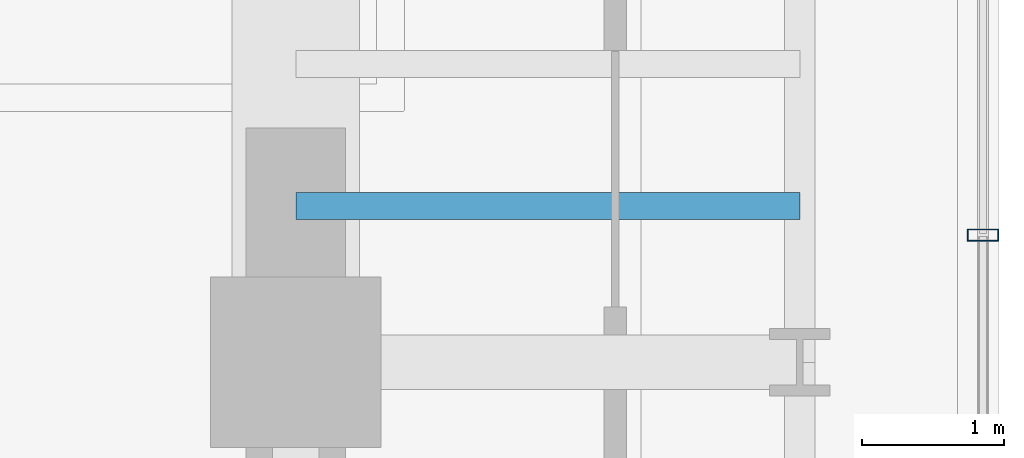
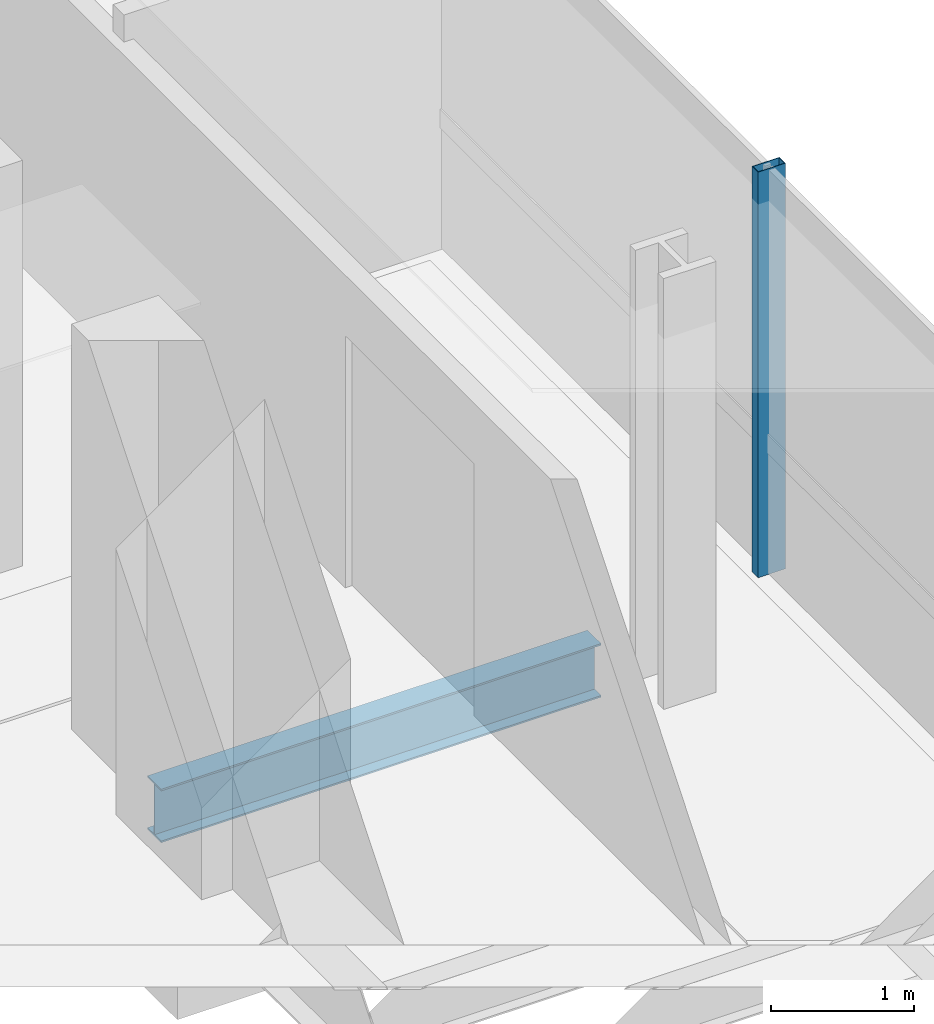
# One storey, part 14 of 37: 1 beam, 1 member, 1 element without a shape of its own.
"""IFC4 building model written with IfcOpenShell, lengths in metres."""

from ifc_helpers import new_model, si_unit, direction, frame, origin, origin_2d, place, context, subcontext, project, spatial, hollow_rectangle, i_section, extrude, source, transform, mapped, material, material_profile, profile_set, type_object, element, aggregate, save


model = new_model("IFC4")

# Units and contexts
model_context = context("Model", 3, precision=1e-05, world=origin(), true_north=direction((0.0, 1.0)))
body_context = subcontext(model_context, "Body", "Model", "MODEL_VIEW")
ifc_project = project(units=[si_unit("LENGTHUNIT", "METRE"), si_unit("AREAUNIT", "SQUARE_METRE"), si_unit("VOLUMEUNIT", "CUBIC_METRE"), si_unit("PLANEANGLEUNIT", "RADIAN"), si_unit("MASSUNIT", "GRAM", prefix="KILO")], contexts=[model_context])

# Site, building, storey
site_placement = place(None, origin())
site = spatial("IfcSite", under=ifc_project, at=site_placement, CompositionType="ELEMENT")
building_placement = place(site_placement, origin())
building = spatial("IfcBuilding", under=site, at=building_placement, Name="Valdorenza Pilgrim Sanctuary Tower", CompositionType="ELEMENT")
storey_placement = place(building_placement, frame((0.0, 0.0, 127.89990234375)))
storey = spatial("IfcBuildingStorey", under=building, at=storey_placement, Name="L32", CompositionType="ELEMENT", Elevation=127.89990234375)

# Beam
ifc_material_1 = material(Name="Steel ASTM A992 Grade 50", Category="steel")
ifc_material_profile_1 = material_profile(ifc_material_1, i_section(OverallWidth=0.19091796875, OverallDepth=0.45703125, WebThickness=0.009033203125, FlangeThickness=0.014404296875, at=origin_2d()), Name="W18X50")
ifc_profile_set_1 = profile_set([ifc_material_profile_1], Name="Steel ASTM A992 Grade 50")
beam_type = type_object("IfcBeamType", Name="STR-BM-JST-W18B", PredefinedType="JOIST", material=ifc_profile_set_1)
shared_shape_1 = source(origin(), body_context, "Body", "SweptSolid", [
    extrude(i_section(OverallWidth=0.19091796875, OverallDepth=0.45703125, WebThickness=0.009033203125, FlangeThickness=0.014404296875, at=origin_2d()), origin(), (0.0, 0.0, 1.0), 3.5498046875),
])
beam_placement = place(storey_placement, frame((24.85009765625, -1.5, -0.468505859375), z_axis=(1.0, 0.0, 0.0), x_axis=(0.0, 1.0, 0.0)))
element("IfcBeam", 1, at=beam_placement, inside=storey, type_object=beam_type, Name="L32 Composite Floor Joist JST-WB-8", PredefinedType="JOIST", context=body_context, shape_type="MappedRepresentation", body=[
    mapped(shared_shape_1, transform((0.0, 0.0, 0.0), x_axis=(1.0, 0.0, 0.0), y_axis=(0.0, 1.0, 0.0), z_axis=(0.0, 0.0, 1.0), scale=1.0)),
])

# Curtain wall, member
ifc_material_2 = material(Name="Curtain-wall IGU glazing", Category="glass")
curtain_wall_type = type_object("IfcCurtainWallType", Name="CW-SYS-03", PredefinedType="NOTDEFINED", material=ifc_material_2)
curtain_wall_placement = place(storey_placement, origin())
curtain_wall = element("IfcCurtainWall", 2, at=curtain_wall_placement, inside=storey, type_object=curtain_wall_type, Name="L32 Curtain Wall CW-L32-1-21", PredefinedType="NOTDEFINED")
ifc_material_3 = material(Name="Anodised aluminium AW-6060", Category="aluminium")
ifc_material_profile_2 = material_profile(ifc_material_3, hollow_rectangle(XDim=0.0849609375, YDim=0.219970703125, WallThickness=0.0048828125, at=origin_2d()), Name="ALU-M 220x85x5")
ifc_profile_set_2 = profile_set([ifc_material_profile_2], Name="Anodised aluminium AW-6060")
member_type = type_object("IfcMemberType", Name="CW-MUL-03", PredefinedType="MULLION", material=ifc_profile_set_2)
shared_shape_2 = source(origin(), body_context, "Body", "SweptSolid", [
    extrude(hollow_rectangle(XDim=0.0849609375, YDim=0.219970703125, WallThickness=0.0048828125, at=origin_2d()), origin(), (0.0, 0.0, 1.0), 3.460205078125),
])
member_placement = place(storey_placement, frame((29.68994140625, -1.7041015625, 0.0), z_axis=(0.0, 0.0, 1.0), x_axis=(0.0, -1.0, 0.0)))
member = element("IfcMember", 3, at=member_placement, type_object=member_type, Name="CW-L32-1-21 Mullion 3", PredefinedType="MULLION", context=body_context, shape_type="MappedRepresentation", body=[
    mapped(shared_shape_2, transform((0.0, 0.0, 0.0), x_axis=(1.0, 0.0, 0.0), y_axis=(0.0, 1.0, 0.0), z_axis=(0.0, 0.0, 1.0), scale=1.0)),
])
aggregate(curtain_wall, [member])

save(model, "model.ifc")
